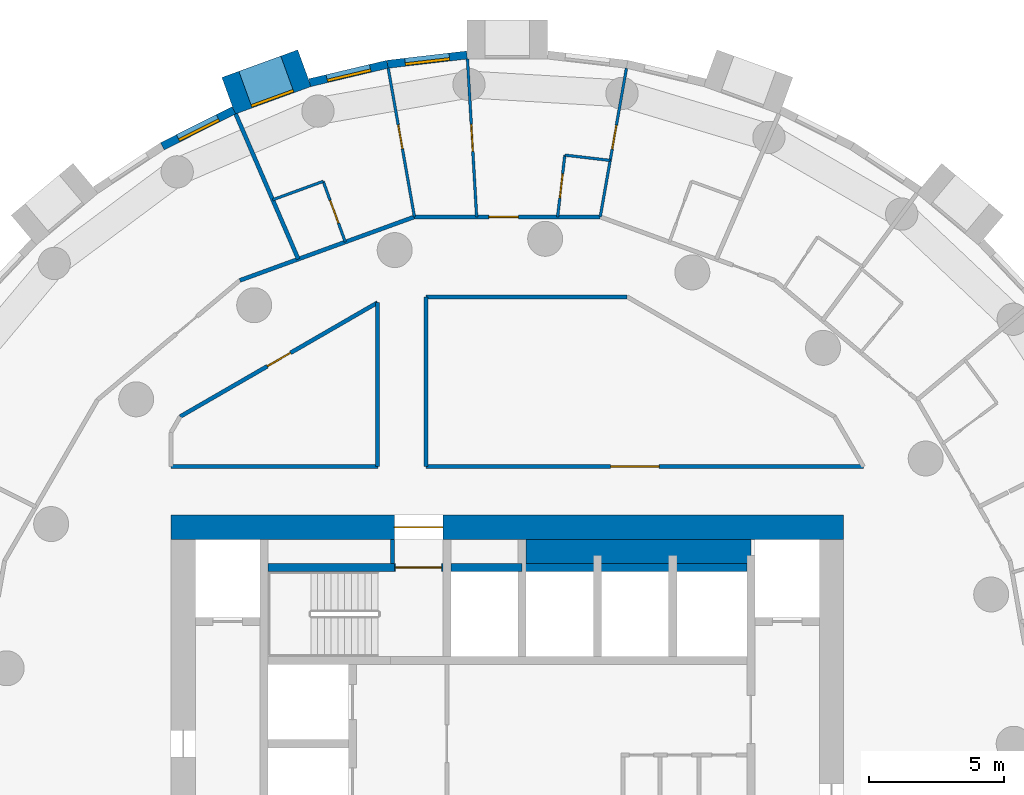
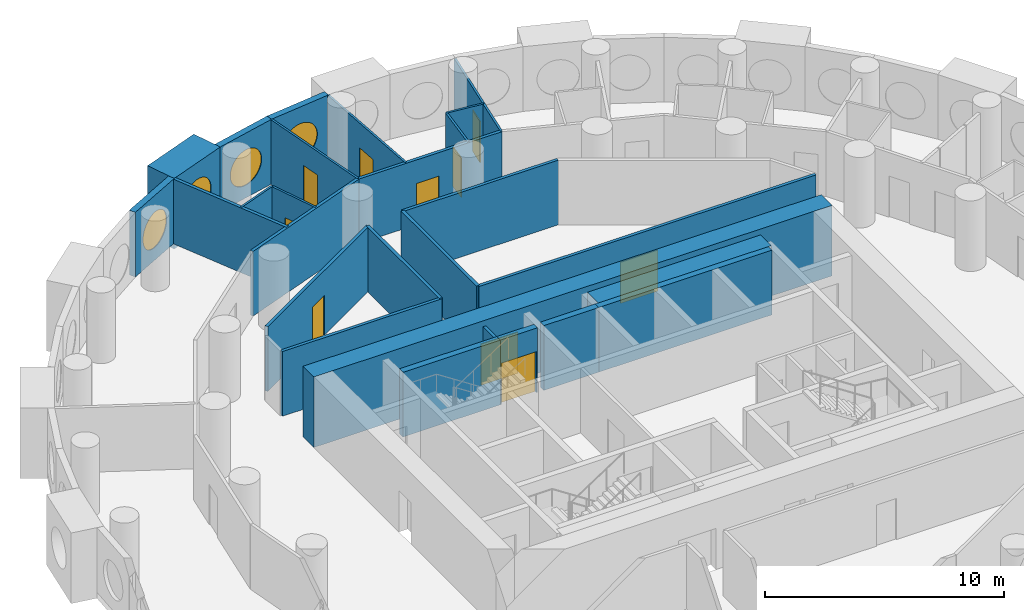
# One storey, part 6 of 9: 28 walls, 10 doors, 4 windows, 14 openings.
"""IFC4 building model written with IfcOpenShell, lengths in metres."""

import ifcopenshell
import ifcopenshell.guid

model = None  # the IFC model being written
_history = None  # IfcOwnerHistory: only IFC2X3 demands one
_inside = {}  # id of a spatial element -> (the spatial element, [elements in it])
_under = {}  # id of a project, library or spatial element -> (it, [spatial elements below it])
_declared = {}  # id of a project -> (the project, [libraries it declares])
_typed = {}  # id of a type object -> (the type object, [elements of that type])
_made_of = {}  # id of a material, layer set ... -> (it, [elements and type objects made of it])


def new_model(schema):
    """Start an empty IFC model of exactly this schema.

    Asked for "IFC4X3", IfcOpenShell would pick the latest addendum, in which some entities
    have other attributes; the version numbers below select the first issue.
    IFC2X3 requires an IfcOwnerHistory on every rooted entity: one is made here for all.
    """
    global model, _history
    if schema == "IFC4X3":
        model = ifcopenshell.file(schema_version=(4, 3, 0, 0))
    else:
        model = ifcopenshell.file(schema=schema)
    _inside.clear()
    _under.clear()
    _declared.clear()
    _typed.clear()
    _made_of.clear()
    _history = None
    if model.schema == "IFC2X3":
        org = make("IfcOrganization", Name="unknown")
        user = make(
            "IfcPersonAndOrganization",
            ThePerson=make("IfcPerson", FamilyName="unknown"),
            TheOrganization=org,
        )
        app = make(
            "IfcApplication",
            ApplicationDeveloper=org,
            Version="unknown",
            ApplicationFullName="unknown",
            ApplicationIdentifier="unknown",
        )
        _history = make(
            "IfcOwnerHistory",
            OwningUser=user,
            OwningApplication=app,
            ChangeAction="ADDED",
            CreationDate=0,
        )
    return model


def make(cls, **values):
    """One entity of the class cls with the attributes given. An attribute that is None is left unset."""
    return model.create_entity(
        cls, **{name: value for name, value in values.items() if value is not None}
    )


def rooted(cls, **values):
    """An entity with a GlobalId (a new one), such as an element, a storey or a relation."""
    return make(cls, GlobalId=ifcopenshell.guid.new(), OwnerHistory=_history, **values)


def si_unit(unit_type, name, prefix=None):
    """IfcSIUnit, for example si_unit("LENGTHUNIT", "METRE", prefix="MILLI")."""
    return make("IfcSIUnit", UnitType=unit_type, Prefix=prefix, Name=name)


def assignment(units):
    """IfcUnitAssignment: the units of a project."""
    return None if units is None else make("IfcUnitAssignment", Units=units)


def point(xyz):
    """IfcCartesianPoint."""
    return None if xyz is None else make("IfcCartesianPoint", Coordinates=xyz)


def direction(xyz):
    """IfcDirection."""
    return None if xyz is None else make("IfcDirection", DirectionRatios=xyz)


def frame(location, z_axis=None, x_axis=None):
    """IfcAxis2Placement3D, a coordinate frame: its origin and axes. An axis left out is left unset."""
    return make(
        "IfcAxis2Placement3D",
        Location=point(location),
        Axis=direction(z_axis),
        RefDirection=direction(x_axis),
    )


def frame_2d(location, x_axis=None):
    """IfcAxis2Placement2D, a coordinate frame in the plane: its origin and x axis."""
    return make(
        "IfcAxis2Placement2D", Location=point(location), RefDirection=direction(x_axis)
    )


def origin():
    """The frame at (0, 0, 0) with its axes left unset."""
    return frame((0.0, 0.0, 0.0))


def origin_2d():
    """The frame at (0, 0) in the plane with its x axis left unset."""
    return frame_2d((0.0, 0.0))


def place(relative_to, where):
    """IfcLocalPlacement: puts the frame where relative to a parent placement (None: the world)."""
    return make(
        "IfcLocalPlacement", PlacementRelTo=relative_to, RelativePlacement=where
    )


def context(
    kind, dimensions, precision=None, world=None, true_north=None, identifier=None
):
    """IfcGeometricRepresentationContext, for example the 3D "Model" context."""
    return make(
        "IfcGeometricRepresentationContext",
        ContextIdentifier=identifier,
        ContextType=kind,
        CoordinateSpaceDimension=dimensions,
        Precision=precision,
        WorldCoordinateSystem=world,
        TrueNorth=true_north,
    )


def subcontext(parent, identifier, kind, view, scale=None):
    """IfcGeometricRepresentationSubContext, for example "Body" below "Model"."""
    return make(
        "IfcGeometricRepresentationSubContext",
        ContextIdentifier=identifier,
        ContextType=kind,
        ParentContext=parent,
        TargetScale=scale,
        TargetView=view,
    )


def project(units=None, contexts=None):
    """IfcProject with its units and contexts."""
    return rooted(
        "IfcProject",
        Name="project",
        RepresentationContexts=contexts,
        UnitsInContext=assignment(units),
    )


def spatial(cls, under=None, at=None, **own):
    """A site, building, storey or space (cls), placed at a placement, below another one or the project."""
    s = rooted(cls, ObjectPlacement=at, **own)
    if under is not None:
        _under.setdefault(under.id(), (under, []))[1].append(s)
    return s


def profile(cls, at=None, kind="AREA", **sizes):
    """A parametric profile (cls). Its sizes go by their IFC names, for example OverallWidth=200.0."""
    return make(cls, ProfileType=kind, Position=at, **sizes)


def rectangle(**sizes):
    """IfcRectangleProfileDef."""
    return profile("IfcRectangleProfileDef", **sizes)


def circle(**sizes):
    """IfcCircleProfileDef."""
    return profile("IfcCircleProfileDef", **sizes)


def extrude(swept, where, along, depth):
    """IfcExtrudedAreaSolid: the profile swept, set in the frame where, extruded along a direction by depth."""
    return make(
        "IfcExtrudedAreaSolid",
        SweptArea=swept,
        Position=where,
        ExtrudedDirection=direction(along),
        Depth=depth,
    )


def shape(context_of_items, identifier, shape_type, items):
    """IfcShapeRepresentation: the items that make up one representation, for example the "Body"."""
    return make(
        "IfcShapeRepresentation",
        ContextOfItems=context_of_items,
        RepresentationIdentifier=identifier,
        RepresentationType=shape_type,
        Items=items,
    )


def material(Name=None, Category=None):
    """IfcMaterial."""
    return make("IfcMaterial", Name=Name, Category=Category)


def layer(
    of_material, thickness, ventilated=None, Name=None, Category=None, Priority=None
):
    """IfcMaterialLayer: one layer of a wall or slab, of a material (None: an air gap)."""
    return make(
        "IfcMaterialLayer",
        Material=of_material,
        LayerThickness=thickness,
        IsVentilated=ventilated,
        Name=Name,
        Category=Category,
        Priority=Priority,
    )


def layer_set(layers, Name=None):
    """IfcMaterialLayerSet."""
    return make("IfcMaterialLayerSet", MaterialLayers=layers, LayerSetName=Name)


def made_of(thing, what):
    """Note that an element or type object is made of a material, layer set ...; save() writes the relation."""
    if what is not None:
        _made_of.setdefault(what.id(), (what, []))[1].append(thing)
    return thing


def type_object(cls, material=None, **own):
    """A type object (cls), such as IfcWallType, which elements share."""
    return made_of(rooted(cls, **own), material)


def element(
    cls,
    number,
    at=None,
    inside=None,
    cuts=None,
    type_object=None,
    material=None,
    context=None,
    identifier="Body",
    shape_type=None,
    held_by="IfcProductDefinitionShape",
    body=None,
    shapes=None,
    **own,
):
    """One element of the class cls, such as IfcWall. Its Tag is "e" and its number.

    at: its placement. inside: the storey or other place that contains it. cuts: it is an
    opening in that element (IfcRelVoidsElement). A single representation is given by context,
    identifier, shape_type and body (its items); several are given by shapes. held_by: the class
    of the entity that holds the representations. save() writes the other relations.
    """
    e = rooted(cls, Tag="e%d" % number, ObjectPlacement=at, **own)
    if body is not None:
        shapes = [shape(context, identifier, shape_type, body)]
    if shapes is not None:
        e.Representation = make(held_by, Representations=shapes)
    if inside is not None:
        _inside.setdefault(inside.id(), (inside, []))[1].append(e)
    if cuts is not None:
        rooted(
            "IfcRelVoidsElement", RelatingBuildingElement=cuts, RelatedOpeningElement=e
        )
    if type_object is not None:
        _typed.setdefault(type_object.id(), (type_object, []))[1].append(e)
    return made_of(e, material)


def fill(opening, filler):
    """IfcRelFillsElement: the door or window that sits in an opening."""
    return rooted(
        "IfcRelFillsElement",
        RelatingOpeningElement=opening,
        RelatedBuildingElement=filler,
    )


def aggregate(whole, parts):
    """IfcRelAggregates: a whole, such as a stair, and the parts it consists of."""
    return rooted("IfcRelAggregates", RelatingObject=whole, RelatedObjects=parts)


def save(model, path):
    """Write the relations noted so far, then the file.

    IfcRelAggregates (storeys below a building ...), IfcRelContainedInSpatialStructure (elements
    in a storey), IfcRelDefinesByType, IfcRelAssociatesMaterial and IfcRelDeclares: one each for
    every whole, place, type object, material and project.
    """
    for whole, parts in _under.values():
        aggregate(whole, parts)
    for where, things in _inside.values():
        rooted(
            "IfcRelContainedInSpatialStructure",
            RelatedElements=things,
            RelatingStructure=where,
        )
    for kind, things in _typed.values():
        rooted("IfcRelDefinesByType", RelatedObjects=things, RelatingType=kind)
    for what, things in _made_of.values():
        rooted("IfcRelAssociatesMaterial", RelatedObjects=things, RelatingMaterial=what)
    for by, libraries in _declared.values():
        rooted("IfcRelDeclares", RelatingContext=by, RelatedDefinitions=libraries)
    model.write(path)


model = new_model("IFC4")

# Units and contexts
model_context = context("Model", 3, precision=1e-05, world=origin(), true_north=direction((0.0, 1.0)))
body_context = subcontext(model_context, "Body", "Model", "MODEL_VIEW")
ifc_project = project(units=[si_unit("LENGTHUNIT", "METRE"), si_unit("AREAUNIT", "SQUARE_METRE"), si_unit("VOLUMEUNIT", "CUBIC_METRE"), si_unit("PLANEANGLEUNIT", "RADIAN"), si_unit("MASSUNIT", "GRAM", prefix="KILO")], contexts=[model_context])

# Site, building, storey
site_placement = place(None, origin())
site = spatial("IfcSite", under=ifc_project, at=site_placement, CompositionType="ELEMENT")
building_placement = place(site_placement, origin())
building = spatial("IfcBuilding", under=site, at=building_placement, Name="Tracery Tower", CompositionType="ELEMENT")
storey_placement = place(building_placement, frame((0.0, 0.0, 162.0)))
storey = spatial("IfcBuildingStorey", under=building, at=storey_placement, Name="L41", CompositionType="ELEMENT", Elevation=162.0)

# Walls
ifc_material_1 = material(Name="Plasterboard on steel studs", Category="steel")
ifc_layer_1 = layer(ifc_material_1, 0.14990234375)
ifc_layer_set_1 = layer_set([ifc_layer_1], Name="Core room partition 150")
wall_type_1 = type_object("IfcWallType", Name="Core room partition 150", PredefinedType="SOLIDWALL", material=ifc_layer_set_1)
wall_1_placement = place(storey_placement, frame((-4.27490234375, 6.699951171875, 0.0), z_axis=(0.0, 0.0, 1.0), x_axis=(0.0, 1.0, 0.0)))
element("IfcWall", 1, at=wall_1_placement, inside=storey, type_object=wall_type_1, Name="L41 F N room", PredefinedType="SOLIDWALL", context=body_context, shape_type="SweptSolid", body=[
    extrude(rectangle(XDim=0.900146484375, YDim=0.14990234375, at=frame_2d((0.4501953125, 0.0))), origin(), (0.0, 0.0, 1.0), 3.300048828125),
])
ifc_material_2 = material(Name="Concrete C50/60", Category="concrete")
ifc_layer_2 = layer(ifc_material_2, 0.89990234375)
ifc_layer_set_2 = layer_set([ifc_layer_2], Name="Core strip wall 900 C50")
wall_type_2 = type_object("IfcWallType", Name="Core strip wall 900 C50", PredefinedType="SOLIDWALL", material=ifc_layer_set_2)
wall_2_placement = place(storey_placement, frame((0.699951171875, 7.14990234375, 0.0), z_axis=(0.0, 0.0, 1.0), x_axis=(1.0, 0.0, 0.0)))
element("IfcWall", 2, at=wall_2_placement, inside=storey, type_object=wall_type_2, Name="L41 F thick N E", PredefinedType="SOLIDWALL", context=body_context, shape_type="SweptSolid", body=[
    extrude(rectangle(XDim=8.35009765625, YDim=0.89990234375, at=frame_2d((4.175048828125, 0.0))), origin(), (0.0, 0.0, 1.0), 3.300048828125),
])

# Wall, opening, door
ifc_material_3 = material(Name="Concrete C50/60", Category="concrete")
ifc_layer_3 = layer(ifc_material_3, 0.89990234375)
ifc_layer_set_3 = layer_set([ifc_layer_3], Name="Core wall 900 C50")
wall_type_3 = type_object("IfcWallType", Name="Core wall 900 C50", PredefinedType="SOLIDWALL", material=ifc_layer_set_3)
wall_3_placement = place(storey_placement, frame((-12.5, 8.050048828125, 0.0), z_axis=(0.0, 0.0, 1.0), x_axis=(1.0, 0.0, 0.0)))
wall_3 = element("IfcWall", 3, at=wall_3_placement, inside=storey, type_object=wall_type_3, Name="L41 outer N", PredefinedType="SOLIDWALL", context=body_context, shape_type="SweptSolid", body=[
    extrude(rectangle(XDim=25.0, YDim=0.89990234375, at=frame_2d((12.5, 0.0))), origin(), (0.0, 0.0, 1.0), 3.60009765625),
])
opening_1_placement = place(wall_3_placement, frame((8.300048828125, 0.0, 0.0)))
opening_1 = element("IfcOpeningElement", 4, at=opening_1_placement, cuts=wall_3, Name="Opening KD13", PredefinedType="OPENING", context=body_context, shape_type="SweptSolid", body=[
    extrude(rectangle(XDim=1.800048828125, YDim=2.10009765625, at=frame_2d((0.89990234375, 1.050048828125))), frame((0.0, 0.449951171875, 0.0), z_axis=(0.0, -1.0, 0.0), x_axis=(1.0, 0.0, 0.0)), (0.0, 0.0, 1.0), 0.89990234375),
])
ifc_material_4 = material(Name="Steel fire door", Category="steel")
door_type_1 = type_object("IfcDoorType", Name="Core exit door 1800 double", OperationType="NOTDEFINED", PredefinedType="DOOR", material=ifc_material_4)
door_1_placement = place(opening_1_placement, origin())
door_1 = element("IfcDoor", 5, at=door_1_placement, inside=storey, type_object=door_type_1, Name="Core exit door", OperationType="DOUBLE_DOOR_SINGLE_SWING", OverallHeight=2.10009765625, OverallWidth=1.800048828125, PredefinedType="DOOR", context=body_context, shape_type="SweptSolid", body=[
    extrude(rectangle(XDim=1.800048828125, YDim=2.10009765625, at=frame_2d((0.89990234375, 1.050048828125))), frame((0.0, 0.02490234375, 0.0), z_axis=(0.0, -1.0, 0.0), x_axis=(1.0, 0.0, 0.0)), (0.0, 0.0, 1.0), 0.050048828125),
])
fill(opening_1, door_1)

# Wall, opening, window
ifc_material_5 = material(Name="Precast concrete C50/60", Category="concrete")
ifc_layer_4 = layer(ifc_material_5, 1.449951171875)
ifc_layer_set_4 = layer_set([ifc_layer_4], Name="Deep-set bay unit 3000 x 3600, slab edge 300")
wall_type_4 = type_object("IfcWallType", Name="Deep-set bay unit 3000 x 3600, slab edge 300", PredefinedType="ELEMENTEDWALL", material=ifc_layer_set_4)
wall_4_placement = place(storey_placement, frame((-7.544189453125, 25.11328125, -0.300048828125), z_axis=(0.0, 0.0, 1.0), x_axis=(-0.939686455819, -0.342037080957, 0.0)))
wall_4 = element("IfcWall", 6, at=wall_4_placement, inside=storey, type_object=wall_type_4, Name="Deep-set bay unit 17 at L41", PredefinedType="ELEMENTEDWALL", context=body_context, shape_type="SweptSolid", body=[
    extrude(rectangle(XDim=3.0, YDim=1.449951171875, at=frame_2d((1.5, 0.0))), origin(), (0.0, 0.0, 1.0), 3.60009765625),
])
opening_2_placement = place(wall_4_placement, frame((1.5, 0.0, 1.85009765625)))
opening_2 = element("IfcOpeningElement", 7, at=opening_2_placement, cuts=wall_4, Name="Opening WN1", PredefinedType="OPENING", context=body_context, shape_type="SweptSolid", body=[
    extrude(circle(Radius=0.9000244140625, at=origin_2d()), frame((0.0, 0.73486328125, 0.0), z_axis=(0.0, -1.0, 0.0), x_axis=(1.0, 0.0, 0.0)), (0.0, 0.0, 1.0), 1.469970703125),
])
ifc_material_6 = material(Name="Aluminium frame with tinted double glazing", Category="aluminium")
window_type = type_object("IfcWindowType", Name="Round window 1800", PartitioningType="SINGLE_PANEL", PredefinedType="WINDOW", material=ifc_material_6)
window_1_placement = place(opening_2_placement, origin())
window_1 = element("IfcWindow", 8, at=window_1_placement, inside=storey, type_object=window_type, Name="Round window 17 at L41", OverallHeight=1.800048828125, OverallWidth=1.800048828125, PartitioningType="SINGLE_PANEL", PredefinedType="WINDOW", context=body_context, shape_type="SweptSolid", body=[
    extrude(circle(Radius=0.9000244140625, at=origin_2d()), frame((0.0, 0.69482421875, 0.0), z_axis=(0.0, -1.0, 0.0), x_axis=(1.0, 0.0, 0.0)), (0.0, 0.0, 1.0), 0.10009765625),
])
fill(opening_2, window_1)

ifc_material_7 = material(Name="Precast concrete C50/60", Category="concrete")
ifc_layer_5 = layer(ifc_material_7, 0.300048828125)
ifc_layer_set_5 = layer_set([ifc_layer_5], Name="Facade panel 3000 x 3300")
wall_type_5 = type_object("IfcWallType", Name="Facade panel 3000 x 3300", PredefinedType="SOLIDWALL", material=ifc_layer_set_5)
wall_5_placement = place(storey_placement, frame((-1.500732421875, 25.60302734375, 0.0), z_axis=(0.0, 0.0, 1.0), x_axis=(-0.993235542767, -0.116116995244, 0.0)))
wall_5 = element("IfcWall", 9, at=wall_5_placement, inside=storey, type_object=wall_type_5, Name="Facade panel 15 at L41", PredefinedType="SOLIDWALL", context=body_context, shape_type="SweptSolid", body=[
    extrude(rectangle(XDim=2.972900390625, YDim=0.300048828125, at=frame_2d((1.486328125, 0.0))), origin(), (0.0, 0.0, 1.0), 3.300048828125),
])
opening_3_placement = place(wall_5_placement, frame((1.486328125, 0.0, 1.5498046875)))
opening_3 = element("IfcOpeningElement", 10, at=opening_3_placement, cuts=wall_5, Name="Opening WN1", PredefinedType="OPENING", context=body_context, shape_type="SweptSolid", body=[
    extrude(circle(Radius=0.9000244140625, at=origin_2d()), frame((0.0, 0.159912109375, 0.0), z_axis=(0.0, -1.0, 0.0), x_axis=(1.0, 0.0, 0.0)), (0.0, 0.0, 1.0), 0.320068359375),
])
window_2_placement = place(opening_3_placement, origin())
window_2 = element("IfcWindow", 11, at=window_2_placement, inside=storey, type_object=window_type, Name="Round window 15 at L41", OverallHeight=1.800048828125, OverallWidth=1.800048828125, PartitioningType="SINGLE_PANEL", PredefinedType="WINDOW", context=body_context, shape_type="SweptSolid", body=[
    extrude(circle(Radius=0.9000244140625, at=origin_2d()), frame((0.0, 0.1201171875, 0.0), z_axis=(0.0, -1.0, 0.0), x_axis=(1.0, 0.0, 0.0)), (0.0, 0.0, 1.0), 0.10009765625),
])
fill(opening_3, window_2)

wall_6_placement = place(storey_placement, frame((-4.45361328125, 25.2578125, 0.0), z_axis=(0.0, 0.0, 1.0), x_axis=(-0.973049746156, -0.230595298102, 0.0)))
wall_6 = element("IfcWall", 12, at=wall_6_placement, inside=storey, type_object=wall_type_5, Name="Facade panel 16 at L41", PredefinedType="SOLIDWALL", context=body_context, shape_type="SweptSolid", body=[
    extrude(rectangle(XDim=2.972900390625, YDim=0.300048828125, at=frame_2d((1.486328125, 0.0))), origin(), (0.0, 0.0, 1.0), 3.300048828125),
])
opening_4_placement = place(wall_6_placement, frame((1.486328125, 0.0, 1.5498046875)))
opening_4 = element("IfcOpeningElement", 13, at=opening_4_placement, cuts=wall_6, Name="Opening WN1", PredefinedType="OPENING", context=body_context, shape_type="SweptSolid", body=[
    extrude(circle(Radius=0.9000244140625, at=origin_2d()), frame((0.0, 0.159912109375, 0.0), z_axis=(0.0, -1.0, 0.0), x_axis=(1.0, 0.0, 0.0)), (0.0, 0.0, 1.0), 0.320068359375),
])
window_3_placement = place(opening_4_placement, origin())
window_3 = element("IfcWindow", 14, at=window_3_placement, inside=storey, type_object=window_type, Name="Round window 16 at L41", OverallHeight=1.800048828125, OverallWidth=1.800048828125, PartitioningType="SINGLE_PANEL", PredefinedType="WINDOW", context=body_context, shape_type="SweptSolid", body=[
    extrude(circle(Radius=0.9000244140625, at=origin_2d()), frame((0.0, 0.1201171875, 0.0), z_axis=(0.0, -1.0, 0.0), x_axis=(1.0, 0.0, 0.0)), (0.0, 0.0, 1.0), 0.10009765625),
])
fill(opening_4, window_3)

wall_7_placement = place(storey_placement, frame((-10.1669921875, 23.545654296875, 0.0), z_axis=(0.0, 0.0, 1.0), x_axis=(-0.893637442555, -0.448789618045, 0.0)))
wall_7 = element("IfcWall", 15, at=wall_7_placement, inside=storey, type_object=wall_type_5, Name="Facade panel 18 at L41", PredefinedType="SOLIDWALL", context=body_context, shape_type="SweptSolid", body=[
    extrude(rectangle(XDim=2.972900390625, YDim=0.300048828125, at=frame_2d((1.486328125, 0.0))), origin(), (0.0, 0.0, 1.0), 3.300048828125),
])
opening_5_placement = place(wall_7_placement, frame((1.486328125, 0.0, 1.5498046875)))
opening_5 = element("IfcOpeningElement", 16, at=opening_5_placement, cuts=wall_7, Name="Opening WN1", PredefinedType="OPENING", context=body_context, shape_type="SweptSolid", body=[
    extrude(circle(Radius=0.9000244140625, at=origin_2d()), frame((0.0, 0.159912109375, 0.0), z_axis=(0.0, -1.0, 0.0), x_axis=(1.0, 0.0, 0.0)), (0.0, 0.0, 1.0), 0.320068359375),
])
window_4_placement = place(opening_5_placement, origin())
window_4 = element("IfcWindow", 17, at=window_4_placement, inside=storey, type_object=window_type, Name="Round window 18 at L41", OverallHeight=1.800048828125, OverallWidth=1.800048828125, PartitioningType="SINGLE_PANEL", PredefinedType="WINDOW", context=body_context, shape_type="SweptSolid", body=[
    extrude(circle(Radius=0.9000244140625, at=origin_2d()), frame((0.0, 0.1201171875, 0.0), z_axis=(0.0, -1.0, 0.0), x_axis=(1.0, 0.0, 0.0)), (0.0, 0.0, 1.0), 0.10009765625),
])
fill(opening_5, window_4)

# Wall, opening, door
ifc_material_8 = material(Name="Plasterboard on steel studs", Category="steel")
ifc_layer_6 = layer(ifc_material_8, 0.10009765625)
ifc_layer_set_6 = layer_set([ifc_layer_6], Name="Partition 100 stud")
wall_type_6 = type_object("IfcWallType", Name="Partition 100 stud", PredefinedType="PARTITIONING", material=ifc_layer_set_6)
wall_8_placement = place(storey_placement, frame((-1.48291015625, 25.4541015625, 0.0), z_axis=(0.0, 0.0, 1.0), x_axis=(0.058147412668, -0.998308007781, 0.0)))
wall_8 = element("IfcWall", 18, at=wall_8_placement, inside=storey, type_object=wall_type_6, Name="Stud partition RB4-058", PredefinedType="PARTITIONING", context=body_context, shape_type="SweptSolid", body=[
    extrude(rectangle(XDim=5.878173828125, YDim=0.10009765625, at=frame_2d((2.93896484375, 0.0))), origin(), (0.0, 0.0, 1.0), 3.300048828125),
])
opening_6_placement = place(wall_8_placement, frame((2.43896484375, 0.0, 0.0)))
opening_6 = element("IfcOpeningElement", 19, at=opening_6_placement, cuts=wall_8, Name="Opening RB4-16", PredefinedType="OPENING", context=body_context, shape_type="SweptSolid", body=[
    extrude(rectangle(XDim=1.0, YDim=2.0400390625, at=frame_2d((0.5, 1.02001953125))), frame((0.0, 0.050048828125, 0.0), z_axis=(0.0, -1.0, 0.0), x_axis=(1.0, 0.0, 0.0)), (0.0, 0.0, 1.0), 0.10009765625),
])
ifc_material_9 = material(Name="Timber door leaf", Category="wood")
door_type_2 = type_object("IfcDoorType", Name="Door communal room 1000", OperationType="NOTDEFINED", PredefinedType="DOOR", material=ifc_material_9)
door_2_placement = place(opening_6_placement, origin())
door_2 = element("IfcDoor", 20, at=door_2_placement, inside=storey, type_object=door_type_2, Name="Communal room door RB4-16", OperationType="SINGLE_SWING_RIGHT", OverallHeight=2.0400390625, OverallWidth=1.0, PredefinedType="DOOR", context=body_context, shape_type="SweptSolid", body=[
    extrude(rectangle(XDim=1.0, YDim=2.0400390625, at=frame_2d((0.5, 1.02001953125))), frame((0.0, 0.02490234375, 0.0), z_axis=(0.0, -1.0, 0.0), x_axis=(1.0, 0.0, 0.0)), (0.0, 0.0, 1.0), 0.050048828125),
])
fill(opening_6, door_2)

wall_9_placement = place(storey_placement, frame((3.822998046875, 21.68408203125, 0.0), z_axis=(0.0, 0.0, 1.0), x_axis=(0.173893421059, 0.984764478499, 0.0)))
wall_9 = element("IfcWall", 21, at=wall_9_placement, inside=storey, type_object=wall_type_6, Name="Stud partition RB4-061", PredefinedType="PARTITIONING", context=body_context, shape_type="SweptSolid", body=[
    extrude(rectangle(XDim=3.47900390625, YDim=0.10009765625, at=frame_2d((1.739501953125, 0.0))), origin(), (0.0, 0.0, 1.0), 3.300048828125),
])
opening_7_placement = place(wall_9_placement, frame((0.430908203125, 0.0, 0.0)))
opening_7 = element("IfcOpeningElement", 22, at=opening_7_placement, cuts=wall_9, Name="Opening RB4-18", PredefinedType="OPENING", context=body_context, shape_type="SweptSolid", body=[
    extrude(rectangle(XDim=0.89990234375, YDim=2.10009765625, at=frame_2d((0.449951171875, 1.050048828125))), frame((0.0, 0.050048828125, 0.0), z_axis=(0.0, -1.0, 0.0), x_axis=(1.0, 0.0, 0.0)), (0.0, 0.0, 1.0), 0.10009765625),
])
ifc_material_10 = material(Name="Timber door leaf", Category="wood")
door_type_3 = type_object("IfcDoorType", Name="Door bedroom 900", OperationType="NOTDEFINED", PredefinedType="DOOR", material=ifc_material_10)
door_3_placement = place(opening_7_placement, origin())
door_3 = element("IfcDoor", 23, at=door_3_placement, inside=storey, type_object=door_type_3, Name="Bedroom door RB4-18", OperationType="SINGLE_SWING_RIGHT", OverallHeight=2.10009765625, OverallWidth=0.89990234375, PredefinedType="DOOR", context=body_context, shape_type="SweptSolid", body=[
    extrude(rectangle(XDim=0.89990234375, YDim=2.10009765625, at=frame_2d((0.449951171875, 1.050048828125))), frame((0.0, 0.02490234375, 0.0), z_axis=(0.0, -1.0, 0.0), x_axis=(1.0, 0.0, 0.0)), (0.0, 0.0, 1.0), 0.050048828125),
])
fill(opening_7, door_3)

wall_10_placement = place(storey_placement, frame((-4.427978515625, 25.110107421875, 0.0), z_axis=(0.0, 0.0, 1.0), x_axis=(0.17382754149, -0.984776109489, 0.0)))
wall_10 = element("IfcWall", 24, at=wall_10_placement, inside=storey, type_object=wall_type_6, Name="Stud partition RB4-062", PredefinedType="PARTITIONING", context=body_context, shape_type="SweptSolid", body=[
    extrude(rectangle(XDim=5.609619140625, YDim=0.10009765625, at=frame_2d((2.8046875, 0.0))), origin(), (0.0, 0.0, 1.0), 3.300048828125),
])
opening_8_placement = place(wall_10_placement, frame((2.139404296875, 0.0, 0.0)))
opening_8 = element("IfcOpeningElement", 25, at=opening_8_placement, cuts=wall_10, Name="Opening RB4-20", PredefinedType="OPENING", context=body_context, shape_type="SweptSolid", body=[
    extrude(rectangle(XDim=0.89990234375, YDim=2.10009765625, at=frame_2d((0.449951171875, 1.050048828125))), frame((0.0, 0.050048828125, 0.0), z_axis=(0.0, -1.0, 0.0), x_axis=(1.0, 0.0, 0.0)), (0.0, 0.0, 1.0), 0.10009765625),
])
door_4_placement = place(opening_8_placement, origin())
door_4 = element("IfcDoor", 26, at=door_4_placement, inside=storey, type_object=door_type_3, Name="Bedroom door RB4-20", OperationType="SINGLE_SWING_RIGHT", OverallHeight=2.10009765625, OverallWidth=0.89990234375, PredefinedType="DOOR", context=body_context, shape_type="SweptSolid", body=[
    extrude(rectangle(XDim=0.89990234375, YDim=2.10009765625, at=frame_2d((0.449951171875, 1.050048828125))), frame((0.0, 0.02490234375, 0.0), z_axis=(0.0, -1.0, 0.0), x_axis=(1.0, 0.0, 0.0)), (0.0, 0.0, 1.0), 0.050048828125),
])
fill(opening_8, door_4)

# Wall
ifc_material_11 = material(Name="Plasterboard on steel studs", Category="steel")
ifc_layer_7 = layer(ifc_material_11, 0.10009765625)
ifc_layer_set_7 = layer_set([ifc_layer_7], Name="Partition 100 wet wall")
wall_type_7 = type_object("IfcWallType", Name="Partition 100 wet wall", PredefinedType="PARTITIONING", material=ifc_layer_set_7)
wall_11_placement = place(storey_placement, frame((2.136962890625, 21.881103515625, 0.0), z_axis=(0.0, 0.0, 1.0), x_axis=(0.993241601719, -0.11606515676, 0.0)))
element("IfcWall", 27, at=wall_11_placement, inside=storey, type_object=wall_type_7, Name="Wet wall RB4-059", PredefinedType="PARTITIONING", context=body_context, shape_type="SweptSolid", body=[
    extrude(rectangle(XDim=1.697509765625, YDim=0.10009765625, at=frame_2d((0.8486328125, 0.0))), origin(), (0.0, 0.0, 1.0), 3.300048828125),
])

# Wall, opening, door
wall_12_placement = place(storey_placement, frame((1.868896484375, 19.5859375, 0.0), z_axis=(0.0, 0.0, 1.0), x_axis=(0.116007517533, 0.993248335451, 0.0)))
wall_12 = element("IfcWall", 28, at=wall_12_placement, inside=storey, type_object=wall_type_7, Name="Wet wall RB4-060", PredefinedType="PARTITIONING", context=body_context, shape_type="SweptSolid", body=[
    extrude(rectangle(XDim=2.310791015625, YDim=0.10009765625, at=frame_2d((1.1552734375, 0.0))), origin(), (0.0, 0.0, 1.0), 3.300048828125),
])
opening_9_placement = place(wall_12_placement, frame((0.70556640625, 0.0, 0.0)))
opening_9 = element("IfcOpeningElement", 29, at=opening_9_placement, cuts=wall_12, Name="Opening RB4-17", PredefinedType="OPENING", context=body_context, shape_type="SweptSolid", body=[
    extrude(rectangle(XDim=0.89990234375, YDim=2.0, at=frame_2d((0.449951171875, 1.0))), frame((0.0, 0.050048828125, 0.0), z_axis=(0.0, -1.0, 0.0), x_axis=(1.0, 0.0, 0.0)), (0.0, 0.0, 1.0), 0.10009765625),
])
ifc_material_12 = material(Name="Timber door leaf", Category="wood")
door_type_4 = type_object("IfcDoorType", Name="Door shower room 900", OperationType="NOTDEFINED", PredefinedType="DOOR", material=ifc_material_12)
door_5_placement = place(opening_9_placement, origin())
door_5 = element("IfcDoor", 30, at=door_5_placement, inside=storey, type_object=door_type_4, Name="Shower room door RB4-17", OperationType="SINGLE_SWING_LEFT", OverallHeight=2.0, OverallWidth=0.89990234375, PredefinedType="DOOR", context=body_context, shape_type="SweptSolid", body=[
    extrude(rectangle(XDim=0.89990234375, YDim=2.0, at=frame_2d((0.449951171875, 1.0))), frame((0.0, 0.02490234375, 0.0), z_axis=(0.0, -1.0, 0.0), x_axis=(1.0, 0.0, 0.0)), (0.0, 0.0, 1.0), 0.050048828125),
])
fill(opening_9, door_5)

# Wall
wall_13_placement = place(storey_placement, frame((3.452880859375, 19.5859375, 0.0), z_axis=(0.0, 0.0, 1.0), x_axis=(0.173719962819, 0.984795092655, 0.0)))
element("IfcWall", 31, at=wall_13_placement, inside=storey, type_object=wall_type_7, Name="Wet wall RB4-063", PredefinedType="PARTITIONING", context=body_context, shape_type="SweptSolid", body=[
    extrude(rectangle(XDim=2.130615234375, YDim=0.10009765625, at=frame_2d((1.0654296875, 0.0))), origin(), (0.0, 0.0, 1.0), 3.300048828125),
])

# Wall, opening, door
wall_14_placement = place(storey_placement, frame((-6.844970703125, 20.905029296875, 0.0), z_axis=(0.0, 0.0, 1.0), x_axis=(0.342110593602, -0.939659694648, 0.0)))
wall_14 = element("IfcWall", 32, at=wall_14_placement, inside=storey, type_object=wall_type_7, Name="Wet wall RB4-066", PredefinedType="PARTITIONING", context=body_context, shape_type="SweptSolid", body=[
    extrude(rectangle(XDim=2.39990234375, YDim=0.10009765625, at=frame_2d((1.199951171875, 0.0))), origin(), (0.0, 0.0, 1.0), 3.300048828125),
])
opening_10_placement = place(wall_14_placement, frame((0.749755859375, 0.0, 0.0)))
opening_10 = element("IfcOpeningElement", 33, at=opening_10_placement, cuts=wall_14, Name="Opening RB4-21", PredefinedType="OPENING", context=body_context, shape_type="SweptSolid", body=[
    extrude(rectangle(XDim=0.89990234375, YDim=2.0400390625, at=frame_2d((0.449951171875, 1.02001953125))), frame((0.0, 0.050048828125, 0.0), z_axis=(0.0, -1.0, 0.0), x_axis=(1.0, 0.0, 0.0)), (0.0, 0.0, 1.0), 0.10009765625),
])
ifc_material_13 = material(Name="Timber door leaf", Category="wood")
door_type_5 = type_object("IfcDoorType", Name="Door en-suite 900", OperationType="NOTDEFINED", PredefinedType="DOOR", material=ifc_material_13)
door_6_placement = place(opening_10_placement, origin())
door_6 = element("IfcDoor", 34, at=door_6_placement, inside=storey, type_object=door_type_5, Name="En-suite door RB4-21", OperationType="SINGLE_SWING_RIGHT", OverallHeight=2.0400390625, OverallWidth=0.89990234375, PredefinedType="DOOR", context=body_context, shape_type="SweptSolid", body=[
    extrude(rectangle(XDim=0.89990234375, YDim=2.0400390625, at=frame_2d((0.449951171875, 1.02001953125))), frame((0.0, 0.02490234375, 0.0), z_axis=(0.0, -1.0, 0.0), x_axis=(1.0, 0.0, 0.0)), (0.0, 0.0, 1.0), 0.050048828125),
])
fill(opening_10, door_6)

# Walls
wall_15_placement = place(storey_placement, frame((-8.722900390625, 20.221923828125, 0.0), z_axis=(0.0, 0.0, 1.0), x_axis=(0.939757747305, 0.341841156651, 0.0)))
element("IfcWall", 35, at=wall_15_placement, inside=storey, type_object=wall_type_7, Name="Wet wall RB4-067", PredefinedType="PARTITIONING", context=body_context, shape_type="SweptSolid", body=[
    extrude(rectangle(XDim=1.998291015625, YDim=0.10009765625, at=frame_2d((0.9990234375, 0.0))), origin(), (0.0, 0.0, 1.0), 3.300048828125),
])
ifc_material_14 = material(Name="Plasterboard on steel studs", Category="steel")
ifc_layer_8 = layer(ifc_material_14, 0.14990234375)
ifc_layer_set_8 = layer_set([ifc_layer_8], Name="Partition 150 acoustic unit wall")
wall_type_8 = type_object("IfcWallType", Name="Partition 150 acoustic unit wall", PredefinedType="PARTITIONING", material=ifc_layer_set_8)
wall_16_placement = place(storey_placement, frame((-10.09912109375, 23.412109375, 0.0), z_axis=(0.0, 0.0, 1.0), x_axis=(0.396103469133, -0.918205882001, 0.0)))
element("IfcWall", 36, at=wall_16_placement, inside=storey, type_object=wall_type_8, Name="Unit wall RB4-068", PredefinedType="PARTITIONING", context=body_context, shape_type="SweptSolid", body=[
    extrude(rectangle(XDim=5.87890625, YDim=0.14990234375, at=frame_2d((2.939453125, 0.0))), origin(), (0.0, 0.0, 1.0), 3.300048828125),
])
ifc_material_15 = material(Name="Plasterboard on steel studs", Category="steel")
ifc_layer_9 = layer(ifc_material_15, 0.14990234375)
ifc_layer_set_9 = layer_set([ifc_layer_9], Name="Partition 150 corridor wall")
wall_type_9 = type_object("IfcWallType", Name="Partition 150 corridor wall", PredefinedType="PARTITIONING", material=ifc_layer_set_9)
wall_17_placement = place(storey_placement, frame((-12.50390625, 10.300048828125, 0.0), z_axis=(0.0, 0.0, 1.0), x_axis=(1.0, 0.0, 0.0)))
element("IfcWall", 37, at=wall_17_placement, inside=storey, type_object=wall_type_9, Name="Corridor wall RB4-001", PredefinedType="PARTITIONING", context=body_context, shape_type="SweptSolid", body=[
    extrude(rectangle(XDim=7.68701171875, YDim=0.14990234375, at=frame_2d((3.843505859375, 0.0))), origin(), (0.0, 0.0, 1.0), 3.300048828125),
])

# Wall, opening, door
wall_18_placement = place(storey_placement, frame((-3.02490234375, 10.300048828125, 0.0), z_axis=(0.0, 0.0, 1.0), x_axis=(1.0, 0.0, 0.0)))
wall_18 = element("IfcWall", 38, at=wall_18_placement, inside=storey, type_object=wall_type_9, Name="Corridor wall RB4-002", PredefinedType="PARTITIONING", context=body_context, shape_type="SweptSolid", body=[
    extrude(rectangle(XDim=16.261962890625, YDim=0.14990234375, at=frame_2d((8.130859375, 0.0))), origin(), (0.0, 0.0, 1.0), 3.300048828125),
])
opening_11_placement = place(wall_18_placement, frame((6.863037109375, 0.0, 0.0)))
opening_11 = element("IfcOpeningElement", 39, at=opening_11_placement, cuts=wall_18, Name="Opening RB4-02", PredefinedType="OPENING", context=body_context, shape_type="SweptSolid", body=[
    extrude(rectangle(XDim=1.800048828125, YDim=2.10009765625, at=frame_2d((0.89990234375, 1.050048828125))), frame((0.0, 0.074951171875, 0.0), z_axis=(0.0, -1.0, 0.0), x_axis=(1.0, 0.0, 0.0)), (0.0, 0.0, 1.0), 0.14990234375),
])
ifc_material_16 = material(Name="Timber door leaf", Category="wood")
door_type_6 = type_object("IfcDoorType", Name="Door double lounge 1800", OperationType="NOTDEFINED", PredefinedType="DOOR", material=ifc_material_16)
door_7_placement = place(opening_11_placement, origin())
door_7 = element("IfcDoor", 40, at=door_7_placement, inside=storey, type_object=door_type_6, Name="Double lounge door RB4-02", OperationType="DOUBLE_DOOR_SINGLE_SWING", OverallHeight=2.10009765625, OverallWidth=1.800048828125, PredefinedType="DOOR", context=body_context, shape_type="SweptSolid", body=[
    extrude(rectangle(XDim=1.800048828125, YDim=2.10009765625, at=frame_2d((0.89990234375, 1.050048828125))), frame((0.0, 0.02490234375, 0.0), z_axis=(0.0, -1.0, 0.0), x_axis=(1.0, 0.0, 0.0)), (0.0, 0.0, 1.0), 0.050048828125),
])
fill(opening_11, door_7)

# Wall
wall_19_placement = place(storey_placement, frame((-4.821044921875, 10.300048828125, 0.0), z_axis=(0.0, 0.0, 1.0), x_axis=(0.0, 1.0, 0.0)))
element("IfcWall", 41, at=wall_19_placement, inside=storey, type_object=wall_type_9, Name="Corridor wall RB4-013", PredefinedType="PARTITIONING", context=body_context, shape_type="SweptSolid", body=[
    extrude(rectangle(XDim=6.100830078125, YDim=0.14990234375, at=frame_2d((3.05029296875, 0.0))), origin(), (0.0, 0.0, 1.0), 3.300048828125),
])

# Wall, opening, door
wall_20_placement = place(storey_placement, frame((-12.162109375, 12.162109375, 0.0), z_axis=(0.0, 0.0, 1.0), x_axis=(0.866004766557, 0.500035743023, 0.0)))
wall_20 = element("IfcWall", 42, at=wall_20_placement, inside=storey, type_object=wall_type_9, Name="Corridor wall RB4-014", PredefinedType="PARTITIONING", context=body_context, shape_type="SweptSolid", body=[
    extrude(rectangle(XDim=8.47705078125, YDim=0.14990234375, at=frame_2d((4.238525390625, 0.0))), origin(), (0.0, 0.0, 1.0), 3.300048828125),
])
opening_12_placement = place(wall_20_placement, frame((3.739013671875, 0.0, 0.0)))
opening_12 = element("IfcOpeningElement", 43, at=opening_12_placement, cuts=wall_20, Name="Opening RB4-01", PredefinedType="OPENING", context=body_context, shape_type="SweptSolid", body=[
    extrude(rectangle(XDim=1.0, YDim=2.0400390625, at=frame_2d((0.5, 1.02001953125))), frame((0.0, 0.074951171875, 0.0), z_axis=(0.0, -1.0, 0.0), x_axis=(1.0, 0.0, 0.0)), (0.0, 0.0, 1.0), 0.14990234375),
])
door_8_placement = place(opening_12_placement, origin())
door_8 = element("IfcDoor", 44, at=door_8_placement, inside=storey, type_object=door_type_2, Name="Communal room door RB4-01", OperationType="SINGLE_SWING_LEFT", OverallHeight=2.0400390625, OverallWidth=1.0, PredefinedType="DOOR", context=body_context, shape_type="SweptSolid", body=[
    extrude(rectangle(XDim=1.0, YDim=2.0400390625, at=frame_2d((0.5, 1.02001953125))), frame((0.0, 0.02490234375, 0.0), z_axis=(0.0, -1.0, 0.0), x_axis=(1.0, 0.0, 0.0)), (0.0, 0.0, 1.0), 0.050048828125),
])
fill(opening_12, door_8)

# Walls
wall_21_placement = place(storey_placement, frame((-3.02099609375, 16.614013671875, 0.0), z_axis=(0.0, 0.0, 1.0), x_axis=(1.0, 0.0, 0.0)))
element("IfcWall", 45, at=wall_21_placement, inside=storey, type_object=wall_type_9, Name="Corridor wall RB4-016", PredefinedType="PARTITIONING", context=body_context, shape_type="SweptSolid", body=[
    extrude(rectangle(XDim=7.472900390625, YDim=0.14990234375, at=frame_2d((3.736328125, 0.0))), origin(), (0.0, 0.0, 1.0), 3.300048828125),
])
wall_22_placement = place(storey_placement, frame((-3.02099609375, 10.300048828125, 0.0), z_axis=(0.0, 0.0, 1.0), x_axis=(0.0, 1.0, 0.0)))
element("IfcWall", 46, at=wall_22_placement, inside=storey, type_object=wall_type_9, Name="Corridor wall RB4-017", PredefinedType="PARTITIONING", context=body_context, shape_type="SweptSolid", body=[
    extrude(rectangle(XDim=6.31396484375, YDim=0.14990234375, at=frame_2d((3.156982421875, 0.0))), origin(), (0.0, 0.0, 1.0), 3.300048828125),
])

# Wall, opening, door
wall_23_placement = place(storey_placement, frame((-3.452880859375, 19.5859375, 0.0), z_axis=(0.0, 0.0, 1.0), x_axis=(1.0, 0.0, 0.0)))
wall_23 = element("IfcWall", 47, at=wall_23_placement, inside=storey, type_object=wall_type_9, Name="Corridor wall RB4-019", PredefinedType="PARTITIONING", context=body_context, shape_type="SweptSolid", body=[
    extrude(rectangle(XDim=6.90576171875, YDim=0.14990234375, at=frame_2d((3.452880859375, 0.0))), origin(), (0.0, 0.0, 1.0), 3.300048828125),
])
opening_13_placement = place(wall_23_placement, frame((2.76708984375, 0.0, 0.0)))
opening_13 = element("IfcOpeningElement", 48, at=opening_13_placement, cuts=wall_23, Name="Opening RB4-15", PredefinedType="OPENING", context=body_context, shape_type="SweptSolid", body=[
    extrude(rectangle(XDim=1.10009765625, YDim=2.10009765625, at=frame_2d((0.550048828125, 1.050048828125))), frame((0.0, 0.074951171875, 0.0), z_axis=(0.0, -1.0, 0.0), x_axis=(1.0, 0.0, 0.0)), (0.0, 0.0, 1.0), 0.14990234375),
])
ifc_material_17 = material(Name="Timber door leaf", Category="wood")
door_type_7 = type_object("IfcDoorType", Name="Door cluster entrance 1100", OperationType="NOTDEFINED", PredefinedType="DOOR", material=ifc_material_17)
door_9_placement = place(opening_13_placement, origin())
door_9 = element("IfcDoor", 49, at=door_9_placement, inside=storey, type_object=door_type_7, Name="Cluster entrance door RB4-15", OperationType="SINGLE_SWING_LEFT", OverallHeight=2.10009765625, OverallWidth=1.10009765625, PredefinedType="DOOR", context=body_context, shape_type="SweptSolid", body=[
    extrude(rectangle(XDim=1.10009765625, YDim=2.10009765625, at=frame_2d((0.550048828125, 1.050048828125))), frame((0.0, 0.02490234375, 0.0), z_axis=(0.0, -1.0, 0.0), x_axis=(1.0, 0.0, 0.0)), (0.0, 0.0, 1.0), 0.050048828125),
])
fill(opening_13, door_9)

# Walls
wall_24_placement = place(storey_placement, frame((-9.9443359375, 17.223876953125, 0.0), z_axis=(0.0, 0.0, 1.0), x_axis=(0.939722202107, 0.341938858377, 0.0)))
element("IfcWall", 50, at=wall_24_placement, inside=storey, type_object=wall_type_9, Name="Corridor wall RB4-020", PredefinedType="PARTITIONING", context=body_context, shape_type="SweptSolid", body=[
    extrude(rectangle(XDim=6.907958984375, YDim=0.14990234375, at=frame_2d((3.4541015625, 0.0))), origin(), (0.0, 0.0, 1.0), 3.300048828125),
])
ifc_material_18 = material(Name="Concrete C50/60", Category="concrete")
ifc_layer_10 = layer(ifc_material_18, 0.300048828125)
ifc_layer_set_10 = layer_set([ifc_layer_10], Name="Stair wall 300 C50")
wall_type_10 = type_object("IfcWallType", Name="Stair wall 300 C50", PredefinedType="SOLIDWALL", material=ifc_layer_set_10)
wall_25_placement = place(storey_placement, frame((-8.89990234375, 6.550048828125, 0.0), z_axis=(0.0, 0.0, 1.0), x_axis=(1.0, 0.0, 0.0)))
element("IfcWall", 51, at=wall_25_placement, inside=storey, type_object=wall_type_10, Name="L41 F N W", PredefinedType="SOLIDWALL", context=body_context, shape_type="SweptSolid", body=[
    extrude(rectangle(XDim=4.699951171875, YDim=0.300048828125, at=frame_2d((2.35009765625, 0.0))), origin(), (0.0, 0.0, 1.0), 3.300048828125),
])

# Wall, opening, door
wall_26_placement = place(storey_placement, frame((-4.199951171875, 6.550048828125, 0.0), z_axis=(0.0, 0.0, 1.0), x_axis=(1.0, 0.0, 0.0)))
wall_26 = element("IfcWall", 52, at=wall_26_placement, inside=storey, type_object=wall_type_10, Name="L41 F stair N", PredefinedType="SOLIDWALL", context=body_context, shape_type="SweptSolid", body=[
    extrude(rectangle(XDim=1.800048828125, YDim=0.300048828125, at=frame_2d((0.89990234375, 0.0))), origin(), (0.0, 0.0, 1.0), 3.300048828125),
])
opening_14_placement = place(wall_26_placement, frame((0.050048828125, 0.0, 0.0)))
opening_14 = element("IfcOpeningElement", 53, at=opening_14_placement, cuts=wall_26, Name="Opening KD3", PredefinedType="OPENING", context=body_context, shape_type="SweptSolid", body=[
    extrude(rectangle(XDim=1.699951171875, YDim=2.10009765625, at=frame_2d((0.85009765625, 1.050048828125))), frame((0.0, 0.14990234375, 0.0), z_axis=(0.0, -1.0, 0.0), x_axis=(1.0, 0.0, 0.0)), (0.0, 0.0, 1.0), 0.300048828125),
])
ifc_material_19 = material(Name="Steel fire door", Category="steel")
door_type_8 = type_object("IfcDoorType", Name="Core stair door 1700 double", OperationType="NOTDEFINED", PredefinedType="DOOR", material=ifc_material_19)
door_10_placement = place(opening_14_placement, origin())
door_10 = element("IfcDoor", 54, at=door_10_placement, inside=storey, type_object=door_type_8, Name="Stair door vest", OperationType="DOUBLE_DOOR_SINGLE_SWING", OverallHeight=2.10009765625, OverallWidth=1.699951171875, PredefinedType="DOOR", context=body_context, shape_type="SweptSolid", body=[
    extrude(rectangle(XDim=1.699951171875, YDim=2.10009765625, at=frame_2d((0.85009765625, 1.050048828125))), frame((0.0, 0.02490234375, 0.0), z_axis=(0.0, -1.0, 0.0), x_axis=(1.0, 0.0, 0.0)), (0.0, 0.0, 1.0), 0.050048828125),
])
fill(opening_14, door_10)

# Walls
wall_27_placement = place(storey_placement, frame((-2.10009765625, 6.550048828125, 0.0), z_axis=(0.0, 0.0, 1.0), x_axis=(1.0, 0.0, 0.0)))
element("IfcWall", 55, at=wall_27_placement, inside=storey, type_object=wall_type_10, Name="L41 F N E1", PredefinedType="SOLIDWALL", context=body_context, shape_type="SweptSolid", body=[
    extrude(rectangle(XDim=2.650146484375, YDim=0.300048828125, at=frame_2d((1.3251953125, 0.0))), origin(), (0.0, 0.0, 1.0), 3.300048828125),
])
wall_28_placement = place(storey_placement, frame((0.550048828125, 6.550048828125, 0.0), z_axis=(0.0, 0.0, 1.0), x_axis=(1.0, 0.0, 0.0)))
element("IfcWall", 56, at=wall_28_placement, inside=storey, type_object=wall_type_10, Name="L41 F stair strip N E", PredefinedType="SOLIDWALL", context=body_context, shape_type="SweptSolid", body=[
    extrude(rectangle(XDim=8.349853515625, YDim=0.300048828125, at=frame_2d((4.1748046875, 0.0))), origin(), (0.0, 0.0, 1.0), 3.300048828125),
])

save(model, "model.ifc")
